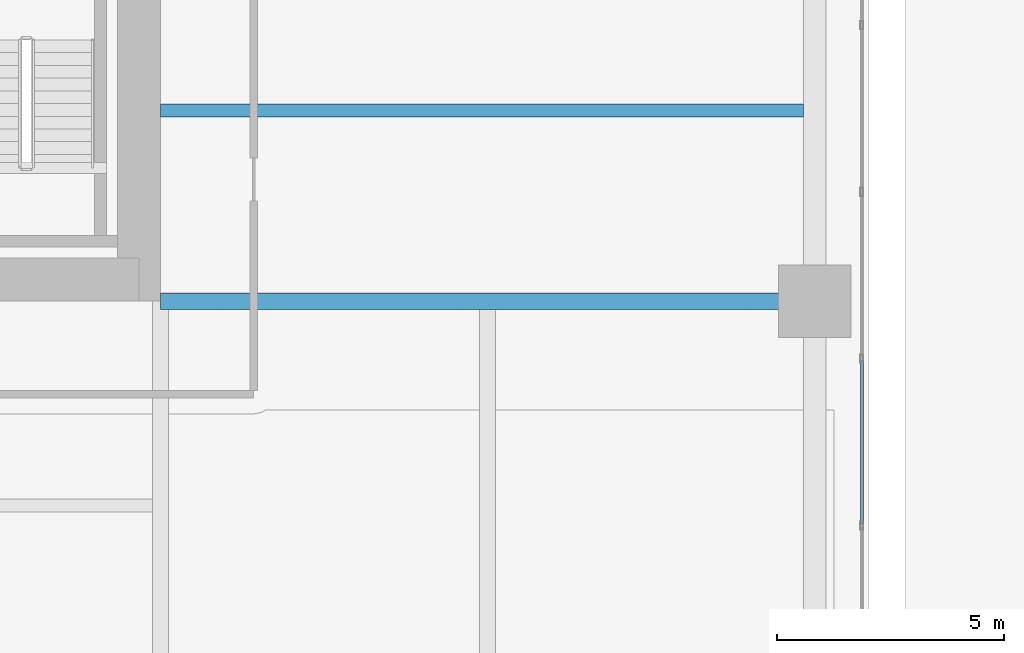
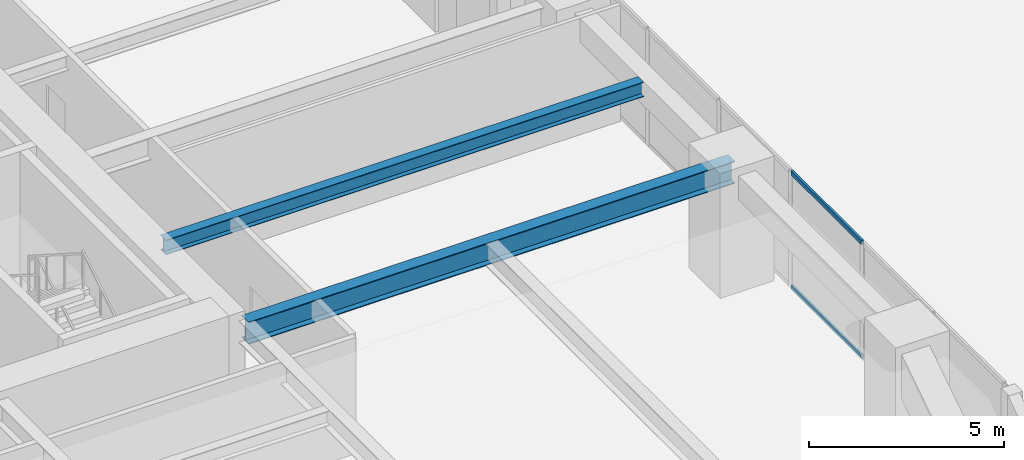
# One storey, part 17 of 38: 2 beams, 2 members, 1 element without a shape of its own.
"""IFC4 building model written with IfcOpenShell, lengths in metres."""

from ifc_helpers import new_model, si_unit, direction, frame, origin, origin_2d, place, context, subcontext, project, spatial, hollow_rectangle, i_section, extrude, material, layer, layer_set, material_profile, profile_set, type_object, element, aggregate, save


model = new_model("IFC4")

# Units and contexts
model_context = context("Model", 3, precision=1e-05, world=origin(), true_north=direction((0.0, 1.0)))
body_context = subcontext(model_context, "Body", "Model", "MODEL_VIEW")
ifc_project = project(units=[si_unit("LENGTHUNIT", "METRE"), si_unit("AREAUNIT", "SQUARE_METRE"), si_unit("VOLUMEUNIT", "CUBIC_METRE"), si_unit("PLANEANGLEUNIT", "RADIAN"), si_unit("MASSUNIT", "GRAM", prefix="KILO")], contexts=[model_context])

# Site, building, storey
site_placement = place(None, origin())
site = spatial("IfcSite", under=ifc_project, at=site_placement, CompositionType="ELEMENT")
building_placement = place(site_placement, origin())
building = spatial("IfcBuilding", under=site, at=building_placement, Name="Kiyonajd Concourse Tower", CompositionType="ELEMENT")
storey_placement = place(building_placement, frame((0.0, 0.0, 21.60009765625)))
storey = spatial("IfcBuildingStorey", under=building, at=storey_placement, Name="L06", CompositionType="ELEMENT", Elevation=21.60009765625)

# Beams
ifc_material_1 = material(Name="Steel ASTM A992 Grade 50", Category="steel")
ifc_material_profile_1 = material_profile(ifc_material_1, i_section(OverallWidth=0.280029296875, OverallDepth=0.462890625, WebThickness=0.0107421875, FlangeThickness=0.017333984375, at=origin_2d()), Name="W460X113")
ifc_profile_set_1 = profile_set([ifc_material_profile_1], Name="Steel ASTM A992 Grade 50")
beam_type_1 = type_object("IfcBeamType", Name="BM-JST-460A", PredefinedType="JOIST", material=ifc_profile_set_1)
beam_1_placement = place(storey_placement, frame((63.60009765625, 31.800048828125, 3.408447265625), z_axis=(1.0, 0.0, 0.0), x_axis=(0.0, 1.0, 0.0)))
element("IfcBeam", 1, at=beam_1_placement, inside=storey, type_object=beam_type_1, Name="L06 East Secondary Floor Joist", PredefinedType="JOIST", context=body_context, shape_type="SweptSolid", body=[
    extrude(i_section(OverallWidth=0.280029296875, OverallDepth=0.462890625, WebThickness=0.0107421875, FlangeThickness=0.017333984375, at=origin_2d()), origin(), (0.0, 0.0, 1.0), 14.14990234375),
])
ifc_material_profile_2 = material_profile(ifc_material_1, i_section(OverallWidth=0.35498046875, OverallDepth=0.695068359375, WebThickness=0.015380859375, FlangeThickness=0.02490234375, at=origin_2d()), Name="W690X217")
ifc_profile_set_2 = profile_set([ifc_material_profile_2], Name="Steel ASTM A992 Grade 50")
beam_type_2 = type_object("IfcBeamType", Name="BM-TWR-690", PredefinedType="BEAM", material=ifc_profile_set_2)
beam_2_placement = place(storey_placement, frame((63.60009765625, 27.60009765625, 3.29248046875), z_axis=(1.0, 0.0, 0.0), x_axis=(0.0, 1.0, 0.0)))
element("IfcBeam", 2, at=beam_2_placement, inside=storey, type_object=beam_type_2, Name="L06 East Lease Girder", PredefinedType="BEAM", context=body_context, shape_type="SweptSolid", body=[
    extrude(i_section(OverallWidth=0.35498046875, OverallDepth=0.695068359375, WebThickness=0.015380859375, FlangeThickness=0.02490234375, at=origin_2d()), origin(), (0.0, 0.0, 1.0), 14.39990234375),
])

# Curtain wall, members
ifc_material_2 = material(Name="Thermally Broken Anodised Aluminium", Category="aluminium")
ifc_layer = layer(ifc_material_2, 0.179931640625)
ifc_layer_set = layer_set([ifc_layer], Name="Thermally Broken Anodised Aluminium")
curtain_wall_type = type_object("IfcCurtainWallType", Name="CW-SYS-02", PredefinedType="NOTDEFINED", material=ifc_layer_set)
curtain_wall_placement = place(storey_placement, origin())
curtain_wall = element("IfcCurtainWall", 3, at=curtain_wall_placement, inside=storey, type_object=curtain_wall_type, Name="L06 Unitised Curtain Wall CW2", PredefinedType="NOTDEFINED")
ifc_material_profile_3 = material_profile(ifc_material_2, hollow_rectangle(XDim=0.06494140625, YDim=0.139892578125, WallThickness=0.00390625, at=origin_2d()), Name="TRAN-65x140")
ifc_profile_set_3 = profile_set([ifc_material_profile_3], Name="Thermally Broken Anodised Aluminium")
member_type = type_object("IfcMemberType", Name="MB-CW-TRAN1", PredefinedType="USERDEFINED", material=ifc_profile_set_3)
member_1_placement = place(storey_placement, frame((79.0400390625, 26.298095703125, 0.032470703125), z_axis=(0.0, -1.0, 0.0), x_axis=(1.0, 0.0, 0.0)))
member_1 = element("IfcMember", 4, at=member_1_placement, type_object=member_type, Name="CW2 transom 4.1", ObjectType="TRANSOM", PredefinedType="USERDEFINED", context=body_context, shape_type="SweptSolid", body=[
    extrude(hollow_rectangle(XDim=0.06494140625, YDim=0.139892578125, WallThickness=0.00390625, at=origin_2d()), origin(), (0.0, 0.0, 1.0), 3.608154296875),
])
member_2_placement = place(storey_placement, frame((79.0400390625, 26.298095703125, 3.607421875), z_axis=(0.0, -1.0, 0.0), x_axis=(1.0, 0.0, 0.0)))
member_2 = element("IfcMember", 5, at=member_2_placement, type_object=member_type, Name="CW2 transom 4.2", ObjectType="TRANSOM", PredefinedType="USERDEFINED", context=body_context, shape_type="SweptSolid", body=[
    extrude(hollow_rectangle(XDim=0.06494140625, YDim=0.139892578125, WallThickness=0.00390625, at=origin_2d()), origin(), (0.0, 0.0, 1.0), 3.608154296875),
])
aggregate(curtain_wall, [member_1, member_2])

save(model, "model.ifc")
